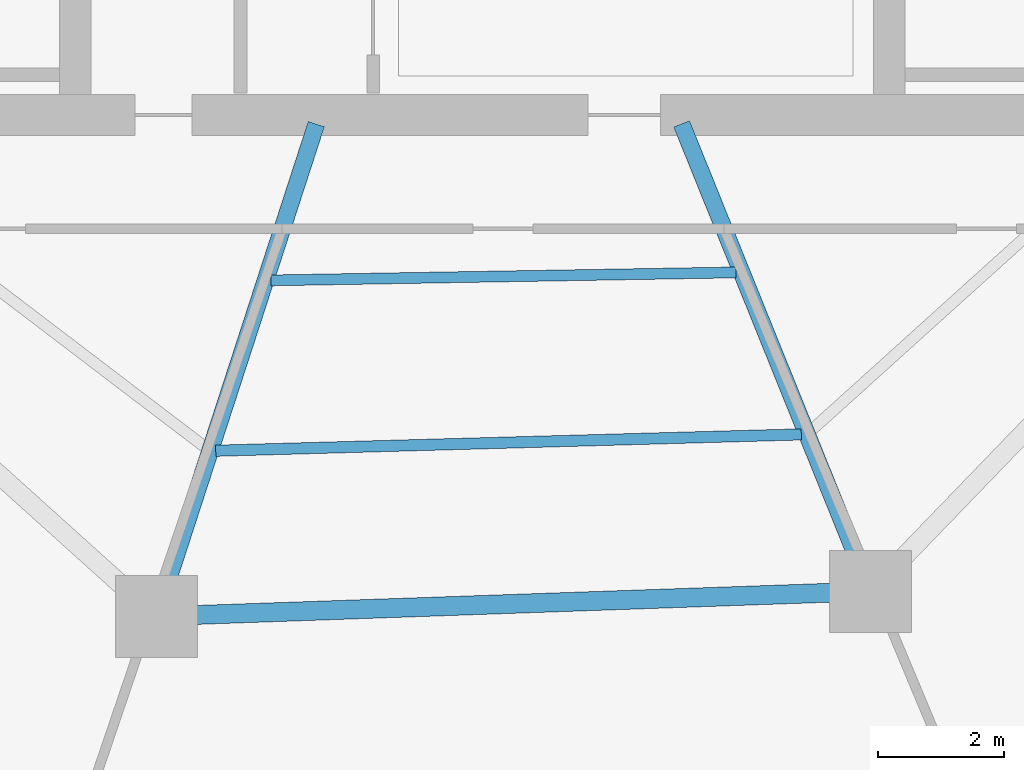
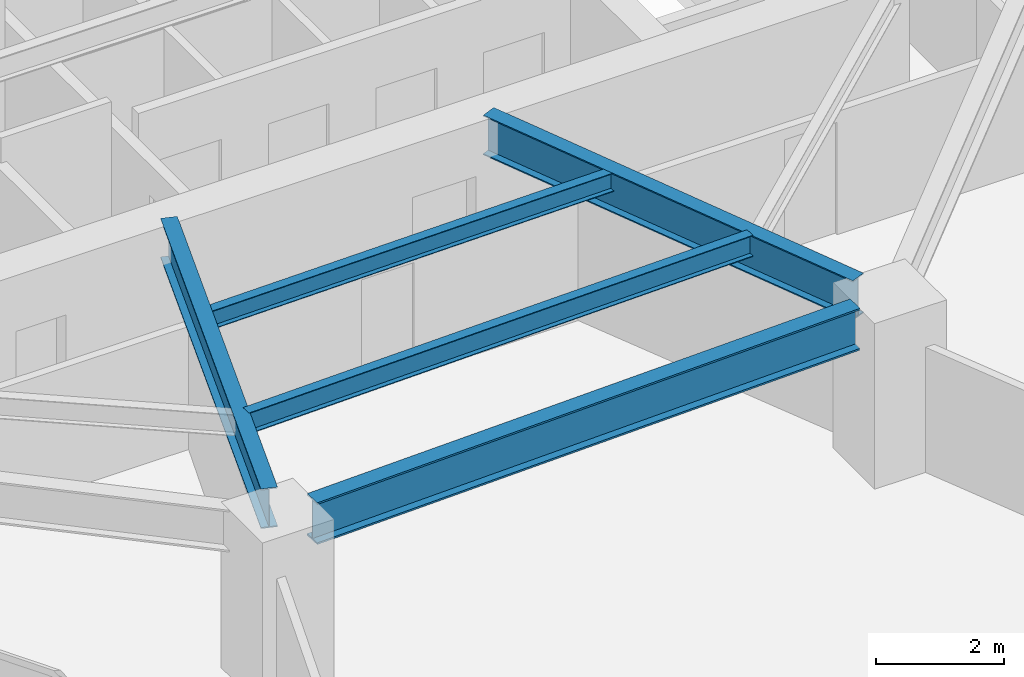
# One storey, part 7 of 31: 5 beams.
"""IFC4 building model written with IfcOpenShell, lengths in metres."""

from ifc_helpers import new_model, si_unit, direction, frame, origin, origin_2d, place, context, subcontext, project, spatial, i_section, extrude, material, material_profile, profile_set, type_object, element, save


model = new_model("IFC4")

# Units and contexts
model_context = context("Model", 3, precision=1e-05, world=origin(), true_north=direction((0.0, 1.0)))
body_context = subcontext(model_context, "Body", "Model", "MODEL_VIEW")
ifc_project = project(units=[si_unit("LENGTHUNIT", "METRE"), si_unit("AREAUNIT", "SQUARE_METRE"), si_unit("VOLUMEUNIT", "CUBIC_METRE"), si_unit("PLANEANGLEUNIT", "RADIAN"), si_unit("MASSUNIT", "GRAM", prefix="KILO")], contexts=[model_context])

# Site, building, storey
site_placement = place(None, origin())
site = spatial("IfcSite", under=ifc_project, at=site_placement, CompositionType="ELEMENT")
building_placement = place(site_placement, origin())
building = spatial("IfcBuilding", under=site, at=building_placement, Name="Qarnah Convention Tower", CompositionType="ELEMENT")
storey_placement = place(building_placement, frame((0.0, 0.0, 64.949951171875)))
storey = spatial("IfcBuildingStorey", under=building, at=storey_placement, Name="L16", CompositionType="ELEMENT", Elevation=64.949951171875)

# Beams
ifc_material = material(Name="Structural steel S355JR", Category="steel")
ifc_material_profile_1 = material_profile(ifc_material, i_section(OverallWidth=0.172119140625, OverallDepth=0.35595703125, WebThickness=0.007080078125, FlangeThickness=0.011962890625, at=origin_2d()), Name="W360X51")
ifc_profile_set_1 = profile_set([ifc_material_profile_1], Name="Structural steel S355JR")
beam_type_1 = type_object("IfcBeamType", Name="BM-JST-W360", PredefinedType="JOIST", material=ifc_profile_set_1)
beam_1_placement = place(storey_placement, frame((33.905029296875, 15.98193359375, 2.991943359375), z_axis=(0.9998536677, 0.017106816955, 0.0), x_axis=(-0.017106816955, 0.9998536677, 0.0)))
element("IfcBeam", 1, at=beam_1_placement, inside=storey, type_object=beam_type_1, Name="L16 joist BM-L16-IJST-07", PredefinedType="JOIST", context=body_context, shape_type="SweptSolid", body=[
    extrude(i_section(OverallWidth=0.172119140625, OverallDepth=0.35595703125, WebThickness=0.007080078125, FlangeThickness=0.011962890625, at=origin_2d()), origin(), (0.0, 0.0, 1.0), 7.364013671875),
])
ifc_material_profile_2 = material_profile(ifc_material, i_section(OverallWidth=0.177978515625, OverallDepth=0.407958984375, WebThickness=0.008056640625, FlangeThickness=0.012939453125, at=origin_2d()), Name="W410X60")
ifc_profile_set_2 = profile_set([ifc_material_profile_2], Name="Structural steel S355JR")
beam_type_2 = type_object("IfcBeamType", Name="BM-JST-W410", PredefinedType="JOIST", material=ifc_profile_set_2)
beam_2_placement = place(storey_placement, frame((33.027099609375, 13.282958984375, 2.966064453125), z_axis=(0.999610394183, 0.027911643461, 0.0), x_axis=(-0.027911643461, 0.999610394183, 0.0)))
element("IfcBeam", 2, at=beam_2_placement, inside=storey, type_object=beam_type_2, Name="L16 joist BM-L16-SJST-07", PredefinedType="JOIST", context=body_context, shape_type="SweptSolid", body=[
    extrude(i_section(OverallWidth=0.177978515625, OverallDepth=0.407958984375, WebThickness=0.008056640625, FlangeThickness=0.012939453125, at=origin_2d()), origin(), (0.0, 0.0, 1.0), 9.280517578125),
])
ifc_material_profile_3 = material_profile(ifc_material, i_section(OverallWidth=0.26806640625, OverallDepth=0.760009765625, WebThickness=0.014892578125, FlangeThickness=0.02197265625, at=origin_2d()), Name="W760X185")
ifc_profile_set_3 = profile_set([ifc_material_profile_3], Name="Structural steel S355JR")
beam_type_3 = type_object("IfcBeamType", Name="BM-RAD-W760", PredefinedType="BEAM", material=ifc_profile_set_3)
beam_3_placement = place(storey_placement, frame((34.6201171875, 18.45703125, 2.7900390625), z_axis=(-0.309057625925, -0.951043313345, 0.0), x_axis=(0.951043313345, -0.309057625925, 0.0)))
element("IfcBeam", 3, at=beam_3_placement, inside=storey, type_object=beam_type_3, Name="L16 beam BM-L16-RAD-07", PredefinedType="BEAM", context=body_context, shape_type="SweptSolid", body=[
    extrude(i_section(OverallWidth=0.26806640625, OverallDepth=0.760009765625, WebThickness=0.014892578125, FlangeThickness=0.02197265625, at=origin_2d()), origin(), (0.0, 0.0, 1.0), 7.568603515625),
])
beam_4_placement = place(storey_placement, frame((40.407958984375, 18.4609375, 2.7900390625), z_axis=(0.374586487969, -0.927191977441, 0.0), x_axis=(0.927191977441, 0.374586487969, 0.0)))
element("IfcBeam", 4, at=beam_4_placement, inside=storey, type_object=beam_type_3, Name="L16 beam BM-L16-RAD-08", PredefinedType="BEAM", context=body_context, shape_type="SweptSolid", body=[
    extrude(i_section(OverallWidth=0.26806640625, OverallDepth=0.760009765625, WebThickness=0.014892578125, FlangeThickness=0.02197265625, at=origin_2d()), origin(), (0.0, 0.0, 1.0), 7.357666015625),
])
ifc_material_profile_4 = material_profile(ifc_material, i_section(OverallWidth=0.300048828125, OverallDepth=0.800048828125, WebThickness=0.01806640625, FlangeThickness=0.032958984375, at=origin_2d()), Name="HEB800")
ifc_profile_set_4 = profile_set([ifc_material_profile_4], Name="Structural steel S355JR")
beam_type_4 = type_object("IfcBeamType", Name="BM-RING-HEB800", PredefinedType="BEAM", material=ifc_profile_set_4)
beam_5_placement = place(storey_placement, frame((32.72607421875, 10.681884765625, 2.77001953125), z_axis=(0.999388457365, 0.034967288783, 0.0), x_axis=(-0.034967288783, 0.999388457365, 0.0)))
element("IfcBeam", 5, at=beam_5_placement, inside=storey, type_object=beam_type_4, Name="L16 beam BM-L16-SPN-07", PredefinedType="BEAM", context=body_context, shape_type="SweptSolid", body=[
    extrude(i_section(OverallWidth=0.300048828125, OverallDepth=0.800048828125, WebThickness=0.01806640625, FlangeThickness=0.032958984375, at=origin_2d()), origin(), (0.0, 0.0, 1.0), 10.0400390625),
])

save(model, "model.ifc")
